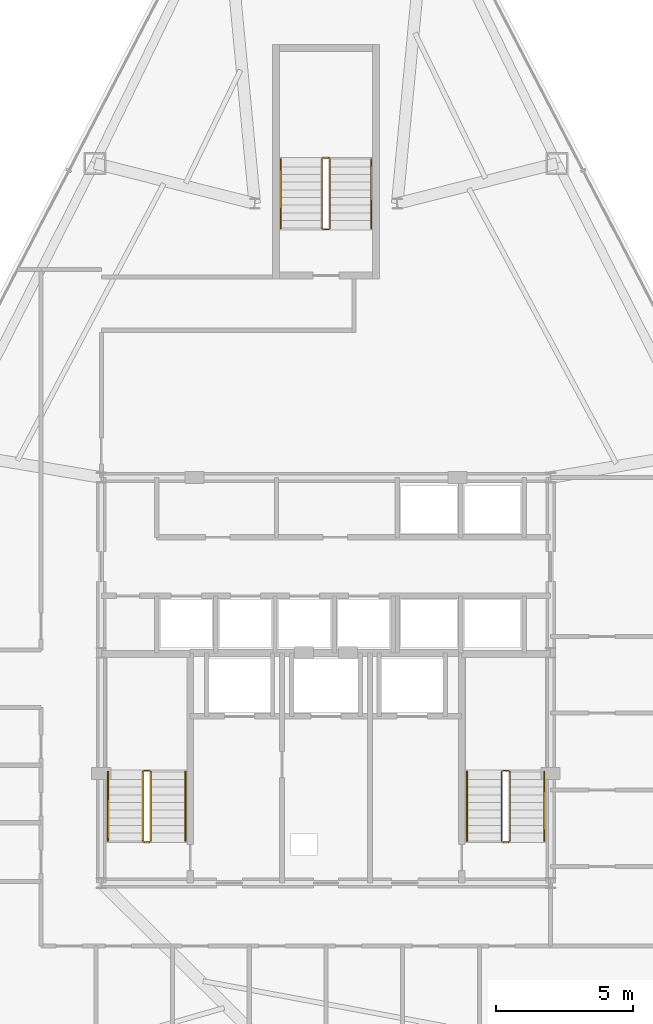
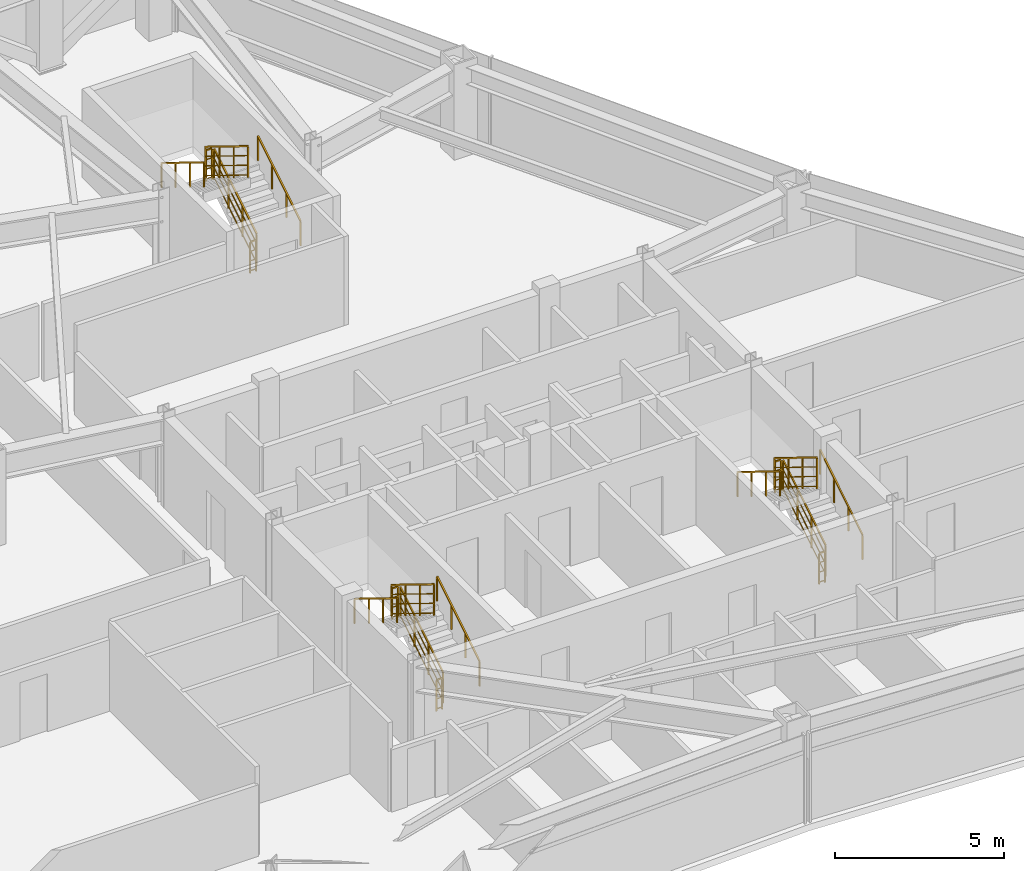
# One storey, part 13 of 13: 18 railings.
"""IFC4 building model written with IfcOpenShell, lengths in metres."""

from ifc_helpers import new_model, si_unit, direction, frame, origin, origin_2d, place, context, subcontext, project, spatial, rectangle, extrude, material, type_object, element, save


model = new_model("IFC4")

# Units and contexts
model_context = context("Model", 3, precision=1e-05, world=origin(), true_north=direction((0.0, 1.0)))
body_context = subcontext(model_context, "Body", "Model", "MODEL_VIEW")
ifc_project = project(units=[si_unit("LENGTHUNIT", "METRE"), si_unit("AREAUNIT", "SQUARE_METRE"), si_unit("VOLUMEUNIT", "CUBIC_METRE"), si_unit("PLANEANGLEUNIT", "RADIAN"), si_unit("MASSUNIT", "GRAM", prefix="KILO")], contexts=[model_context])

# Site, building, storey
site_placement = place(None, origin())
site = spatial("IfcSite", under=ifc_project, at=site_placement, CompositionType="ELEMENT")
building_placement = place(site_placement, origin())
building = spatial("IfcBuilding", under=site, at=building_placement, Name="Varakhsha Concourse Tower", CompositionType="ELEMENT")
storey_placement = place(building_placement, frame((0.0, 0.0, 186.14990234375)))
storey = spatial("IfcBuildingStorey", under=building, at=storey_placement, Name="L53", CompositionType="ELEMENT", Elevation=186.14990234375)

# Railings
ifc_material = material(Name="Brushed Austenitic Stainless Steel AISI 316", Category="steel")
railing_type_1 = type_object("IfcRailingType", Name="RL-STAIR-GUARD-1100", PredefinedType="GUARDRAIL", material=ifc_material)
railing_1_placement = place(storey_placement, frame((33.610107421875, 17.93994140625, 0.172607421875)))
element("IfcRailing", 1, at=railing_1_placement, inside=storey, type_object=railing_type_1, Name="L53 ST1 stair guard 1", PredefinedType="GUARDRAIL", context=body_context, shape_type="SweptSolid", body=[
    extrude(rectangle(XDim=0.048095703125, YDim=0.048095703125, at=origin_2d()), frame((0.0, 0.0, 1.1259765625), z_axis=(0.0, 0.851400495292, 0.524516154772), x_axis=(-1.0, 0.0, 0.0)), (0.0, 0.0, 1.0), 2.9599609375),
    extrude(rectangle(XDim=0.028076171875, YDim=0.028076171875, at=origin_2d()), frame((0.0, 0.0, 0.080078125), z_axis=(0.0, 0.851400495292, 0.524516154772), x_axis=(-1.0, 0.0, 0.0)), (0.0, 0.0, 1.0), 2.9599609375),
    extrude(rectangle(XDim=0.028076171875, YDim=0.028076171875, at=origin_2d()), frame((0.0, 0.0, 0.43701171875), z_axis=(0.0, 0.851400495292, 0.524516154772), x_axis=(-1.0, 0.0, 0.0)), (0.0, 0.0, 1.0), 2.9599609375),
    extrude(rectangle(XDim=0.028076171875, YDim=0.028076171875, at=origin_2d()), frame((0.0, 0.0, 0.781982421875), z_axis=(0.0, 0.851400495292, 0.524516154772), x_axis=(-1.0, 0.0, 0.0)), (0.0, 0.0, 1.0), 2.9599609375),
    extrude(rectangle(XDim=0.0419921875, YDim=0.0419921875, at=origin_2d()), origin(), (0.0, 0.0, 1.0), 1.101806640625),
    extrude(rectangle(XDim=0.0419921875, YDim=0.0419921875, at=origin_2d()), frame((0.0, 0.840087890625, 0.517578125)), (0.0, 0.0, 1.0), 1.101806640625),
    extrude(rectangle(XDim=0.0419921875, YDim=0.0419921875, at=origin_2d()), frame((0.0, 1.679931640625, 1.034912109375)), (0.0, 0.0, 1.0), 1.101806640625),
    extrude(rectangle(XDim=0.0419921875, YDim=0.0419921875, at=origin_2d()), frame((0.0, 2.52001953125, 1.552490234375)), (0.0, 0.0, 1.0), 1.101806640625),
])
railing_2_placement = place(storey_placement, frame((33.56005859375, 20.510009765625, 1.72509765625)))
element("IfcRailing", 2, at=railing_2_placement, inside=storey, type_object=railing_type_1, Name="L53 ST1 stair guard 2", PredefinedType="GUARDRAIL", context=body_context, shape_type="SweptSolid", body=[
    extrude(rectangle(XDim=0.048095703125, YDim=0.048095703125, at=origin_2d()), frame((0.0, 0.0, 1.1259765625), z_axis=(-1.0, 0.0, 0.0), x_axis=(0.0, -1.0, 0.0)), (0.0, 0.0, 1.0), 0.199951171875),
    extrude(rectangle(XDim=0.028076171875, YDim=0.028076171875, at=origin_2d()), frame((0.0, 0.0, 0.080078125), z_axis=(-1.0, 0.0, 0.0), x_axis=(0.0, -1.0, 0.0)), (0.0, 0.0, 1.0), 0.199951171875),
    extrude(rectangle(XDim=0.028076171875, YDim=0.028076171875, at=origin_2d()), frame((0.0, 0.0, 0.43701171875), z_axis=(-1.0, 0.0, 0.0), x_axis=(0.0, -1.0, 0.0)), (0.0, 0.0, 1.0), 0.199951171875),
    extrude(rectangle(XDim=0.028076171875, YDim=0.028076171875, at=origin_2d()), frame((0.0, 0.0, 0.781982421875), z_axis=(-1.0, 0.0, 0.0), x_axis=(0.0, -1.0, 0.0)), (0.0, 0.0, 1.0), 0.199951171875),
    extrude(rectangle(XDim=0.0419921875, YDim=0.0419921875, at=origin_2d()), origin(), (0.0, 0.0, 1.0), 1.101806640625),
    extrude(rectangle(XDim=0.0419921875, YDim=0.0419921875, at=origin_2d()), frame((-0.199951171875, 0.0, 0.0)), (0.0, 0.0, 1.0), 1.101806640625),
])
railing_3_placement = place(storey_placement, frame((33.31005859375, 20.4599609375, 1.897705078125)))
element("IfcRailing", 3, at=railing_3_placement, inside=storey, type_object=railing_type_1, Name="L53 ST1 stair guard 3", PredefinedType="GUARDRAIL", context=body_context, shape_type="SweptSolid", body=[
    extrude(rectangle(XDim=0.048095703125, YDim=0.048095703125, at=origin_2d()), frame((0.0, 0.0, 1.1259765625), z_axis=(0.0, -0.851400495292, 0.524516154772), x_axis=(1.0, 0.0, 0.0)), (0.0, 0.0, 1.0), 2.9599609375),
    extrude(rectangle(XDim=0.028076171875, YDim=0.028076171875, at=origin_2d()), frame((0.0, 0.0, 0.080078125), z_axis=(0.0, -0.851400495292, 0.524516154772), x_axis=(1.0, 0.0, 0.0)), (0.0, 0.0, 1.0), 2.9599609375),
    extrude(rectangle(XDim=0.028076171875, YDim=0.028076171875, at=origin_2d()), frame((0.0, 0.0, 0.43701171875), z_axis=(0.0, -0.851400495292, 0.524516154772), x_axis=(1.0, 0.0, 0.0)), (0.0, 0.0, 1.0), 2.9599609375),
    extrude(rectangle(XDim=0.028076171875, YDim=0.028076171875, at=origin_2d()), frame((0.0, 0.0, 0.781982421875), z_axis=(0.0, -0.851400495292, 0.524516154772), x_axis=(1.0, 0.0, 0.0)), (0.0, 0.0, 1.0), 2.9599609375),
    extrude(rectangle(XDim=0.0419921875, YDim=0.0419921875, at=origin_2d()), origin(), (0.0, 0.0, 1.0), 1.101806640625),
    extrude(rectangle(XDim=0.0419921875, YDim=0.0419921875, at=origin_2d()), frame((0.0, -0.840087890625, 0.517578125)), (0.0, 0.0, 1.0), 1.101806640625),
    extrude(rectangle(XDim=0.0419921875, YDim=0.0419921875, at=origin_2d()), frame((0.0, -1.679931640625, 1.034912109375)), (0.0, 0.0, 1.0), 1.101806640625),
    extrude(rectangle(XDim=0.0419921875, YDim=0.0419921875, at=origin_2d()), frame((0.0, -2.52001953125, 1.552490234375)), (0.0, 0.0, 1.0), 1.101806640625),
])
railing_4_placement = place(storey_placement, frame((33.56005859375, 17.889892578125, 0.0)))
element("IfcRailing", 4, at=railing_4_placement, inside=storey, type_object=railing_type_1, Name="L53 ST1 stair guard 4", PredefinedType="GUARDRAIL", context=body_context, shape_type="SweptSolid", body=[
    extrude(rectangle(XDim=0.048095703125, YDim=0.048095703125, at=origin_2d()), frame((0.0, 0.0, 1.1259765625), z_axis=(-1.0, 0.0, 0.0), x_axis=(0.0, -1.0, 0.0)), (0.0, 0.0, 1.0), 0.199951171875),
    extrude(rectangle(XDim=0.028076171875, YDim=0.028076171875, at=origin_2d()), frame((0.0, 0.0, 0.080078125), z_axis=(-1.0, 0.0, 0.0), x_axis=(0.0, -1.0, 0.0)), (0.0, 0.0, 1.0), 0.199951171875),
    extrude(rectangle(XDim=0.028076171875, YDim=0.028076171875, at=origin_2d()), frame((0.0, 0.0, 0.43701171875), z_axis=(-1.0, 0.0, 0.0), x_axis=(0.0, -1.0, 0.0)), (0.0, 0.0, 1.0), 0.199951171875),
    extrude(rectangle(XDim=0.028076171875, YDim=0.028076171875, at=origin_2d()), frame((0.0, 0.0, 0.781982421875), z_axis=(-1.0, 0.0, 0.0), x_axis=(0.0, -1.0, 0.0)), (0.0, 0.0, 1.0), 0.199951171875),
    extrude(rectangle(XDim=0.0419921875, YDim=0.0419921875, at=origin_2d()), origin(), (0.0, 0.0, 1.0), 1.101806640625),
    extrude(rectangle(XDim=0.0419921875, YDim=0.0419921875, at=origin_2d()), frame((-0.199951171875, 0.0, 0.0)), (0.0, 0.0, 1.0), 1.101806640625),
])
railing_5_placement = place(storey_placement, frame((46.7099609375, 17.93994140625, 0.172607421875)))
element("IfcRailing", 5, at=railing_5_placement, inside=storey, type_object=railing_type_1, Name="L53 ST2 stair guard 1", PredefinedType="GUARDRAIL", context=body_context, shape_type="SweptSolid", body=[
    extrude(rectangle(XDim=0.048095703125, YDim=0.048095703125, at=origin_2d()), frame((0.0, 0.0, 1.1259765625), z_axis=(0.0, 0.851400495292, 0.524516154772), x_axis=(-1.0, 0.0, 0.0)), (0.0, 0.0, 1.0), 2.9599609375),
    extrude(rectangle(XDim=0.028076171875, YDim=0.028076171875, at=origin_2d()), frame((0.0, 0.0, 0.080078125), z_axis=(0.0, 0.851400495292, 0.524516154772), x_axis=(-1.0, 0.0, 0.0)), (0.0, 0.0, 1.0), 2.9599609375),
    extrude(rectangle(XDim=0.028076171875, YDim=0.028076171875, at=origin_2d()), frame((0.0, 0.0, 0.43701171875), z_axis=(0.0, 0.851400495292, 0.524516154772), x_axis=(-1.0, 0.0, 0.0)), (0.0, 0.0, 1.0), 2.9599609375),
    extrude(rectangle(XDim=0.028076171875, YDim=0.028076171875, at=origin_2d()), frame((0.0, 0.0, 0.781982421875), z_axis=(0.0, 0.851400495292, 0.524516154772), x_axis=(-1.0, 0.0, 0.0)), (0.0, 0.0, 1.0), 2.9599609375),
    extrude(rectangle(XDim=0.0419921875, YDim=0.0419921875, at=origin_2d()), origin(), (0.0, 0.0, 1.0), 1.101806640625),
    extrude(rectangle(XDim=0.0419921875, YDim=0.0419921875, at=origin_2d()), frame((0.0, 0.840087890625, 0.517578125)), (0.0, 0.0, 1.0), 1.101806640625),
    extrude(rectangle(XDim=0.0419921875, YDim=0.0419921875, at=origin_2d()), frame((0.0, 1.679931640625, 1.034912109375)), (0.0, 0.0, 1.0), 1.101806640625),
    extrude(rectangle(XDim=0.0419921875, YDim=0.0419921875, at=origin_2d()), frame((0.0, 2.52001953125, 1.552490234375)), (0.0, 0.0, 1.0), 1.101806640625),
])
railing_6_placement = place(storey_placement, frame((46.659912109375, 20.510009765625, 1.72509765625)))
element("IfcRailing", 6, at=railing_6_placement, inside=storey, type_object=railing_type_1, Name="L53 ST2 stair guard 2", PredefinedType="GUARDRAIL", context=body_context, shape_type="SweptSolid", body=[
    extrude(rectangle(XDim=0.048095703125, YDim=0.048095703125, at=origin_2d()), frame((0.0, 0.0, 1.1259765625), z_axis=(-1.0, 0.0, 0.0), x_axis=(0.0, -1.0, 0.0)), (0.0, 0.0, 1.0), 0.199951171875),
    extrude(rectangle(XDim=0.028076171875, YDim=0.028076171875, at=origin_2d()), frame((0.0, 0.0, 0.080078125), z_axis=(-1.0, 0.0, 0.0), x_axis=(0.0, -1.0, 0.0)), (0.0, 0.0, 1.0), 0.199951171875),
    extrude(rectangle(XDim=0.028076171875, YDim=0.028076171875, at=origin_2d()), frame((0.0, 0.0, 0.43701171875), z_axis=(-1.0, 0.0, 0.0), x_axis=(0.0, -1.0, 0.0)), (0.0, 0.0, 1.0), 0.199951171875),
    extrude(rectangle(XDim=0.028076171875, YDim=0.028076171875, at=origin_2d()), frame((0.0, 0.0, 0.781982421875), z_axis=(-1.0, 0.0, 0.0), x_axis=(0.0, -1.0, 0.0)), (0.0, 0.0, 1.0), 0.199951171875),
    extrude(rectangle(XDim=0.0419921875, YDim=0.0419921875, at=origin_2d()), origin(), (0.0, 0.0, 1.0), 1.101806640625),
    extrude(rectangle(XDim=0.0419921875, YDim=0.0419921875, at=origin_2d()), frame((-0.199951171875, 0.0, 0.0)), (0.0, 0.0, 1.0), 1.101806640625),
])
railing_7_placement = place(storey_placement, frame((46.409912109375, 20.4599609375, 1.897705078125)))
element("IfcRailing", 7, at=railing_7_placement, inside=storey, type_object=railing_type_1, Name="L53 ST2 stair guard 3", PredefinedType="GUARDRAIL", context=body_context, shape_type="SweptSolid", body=[
    extrude(rectangle(XDim=0.048095703125, YDim=0.048095703125, at=origin_2d()), frame((0.0, 0.0, 1.1259765625), z_axis=(0.0, -0.851400495292, 0.524516154772), x_axis=(1.0, 0.0, 0.0)), (0.0, 0.0, 1.0), 2.9599609375),
    extrude(rectangle(XDim=0.028076171875, YDim=0.028076171875, at=origin_2d()), frame((0.0, 0.0, 0.080078125), z_axis=(0.0, -0.851400495292, 0.524516154772), x_axis=(1.0, 0.0, 0.0)), (0.0, 0.0, 1.0), 2.9599609375),
    extrude(rectangle(XDim=0.028076171875, YDim=0.028076171875, at=origin_2d()), frame((0.0, 0.0, 0.43701171875), z_axis=(0.0, -0.851400495292, 0.524516154772), x_axis=(1.0, 0.0, 0.0)), (0.0, 0.0, 1.0), 2.9599609375),
    extrude(rectangle(XDim=0.028076171875, YDim=0.028076171875, at=origin_2d()), frame((0.0, 0.0, 0.781982421875), z_axis=(0.0, -0.851400495292, 0.524516154772), x_axis=(1.0, 0.0, 0.0)), (0.0, 0.0, 1.0), 2.9599609375),
    extrude(rectangle(XDim=0.0419921875, YDim=0.0419921875, at=origin_2d()), origin(), (0.0, 0.0, 1.0), 1.101806640625),
    extrude(rectangle(XDim=0.0419921875, YDim=0.0419921875, at=origin_2d()), frame((0.0, -0.840087890625, 0.517578125)), (0.0, 0.0, 1.0), 1.101806640625),
    extrude(rectangle(XDim=0.0419921875, YDim=0.0419921875, at=origin_2d()), frame((0.0, -1.679931640625, 1.034912109375)), (0.0, 0.0, 1.0), 1.101806640625),
    extrude(rectangle(XDim=0.0419921875, YDim=0.0419921875, at=origin_2d()), frame((0.0, -2.52001953125, 1.552490234375)), (0.0, 0.0, 1.0), 1.101806640625),
])
railing_8_placement = place(storey_placement, frame((46.659912109375, 17.889892578125, 0.0)))
element("IfcRailing", 8, at=railing_8_placement, inside=storey, type_object=railing_type_1, Name="L53 ST2 stair guard 4", PredefinedType="GUARDRAIL", context=body_context, shape_type="SweptSolid", body=[
    extrude(rectangle(XDim=0.048095703125, YDim=0.048095703125, at=origin_2d()), frame((0.0, 0.0, 1.1259765625), z_axis=(-1.0, 0.0, 0.0), x_axis=(0.0, -1.0, 0.0)), (0.0, 0.0, 1.0), 0.199951171875),
    extrude(rectangle(XDim=0.028076171875, YDim=0.028076171875, at=origin_2d()), frame((0.0, 0.0, 0.080078125), z_axis=(-1.0, 0.0, 0.0), x_axis=(0.0, -1.0, 0.0)), (0.0, 0.0, 1.0), 0.199951171875),
    extrude(rectangle(XDim=0.028076171875, YDim=0.028076171875, at=origin_2d()), frame((0.0, 0.0, 0.43701171875), z_axis=(-1.0, 0.0, 0.0), x_axis=(0.0, -1.0, 0.0)), (0.0, 0.0, 1.0), 0.199951171875),
    extrude(rectangle(XDim=0.028076171875, YDim=0.028076171875, at=origin_2d()), frame((0.0, 0.0, 0.781982421875), z_axis=(-1.0, 0.0, 0.0), x_axis=(0.0, -1.0, 0.0)), (0.0, 0.0, 1.0), 0.199951171875),
    extrude(rectangle(XDim=0.0419921875, YDim=0.0419921875, at=origin_2d()), origin(), (0.0, 0.0, 1.0), 1.101806640625),
    extrude(rectangle(XDim=0.0419921875, YDim=0.0419921875, at=origin_2d()), frame((-0.199951171875, 0.0, 0.0)), (0.0, 0.0, 1.0), 1.101806640625),
])
railing_9_placement = place(storey_placement, frame((40.14990234375, 40.300048828125, 0.172607421875)))
element("IfcRailing", 9, at=railing_9_placement, inside=storey, type_object=railing_type_1, Name="L53 ST5 stair guard 1", PredefinedType="GUARDRAIL", context=body_context, shape_type="SweptSolid", body=[
    extrude(rectangle(XDim=0.048095703125, YDim=0.048095703125, at=origin_2d()), frame((0.0, 0.0, 1.1259765625), z_axis=(0.0, 0.851400495292, 0.524516154772), x_axis=(-1.0, 0.0, 0.0)), (0.0, 0.0, 1.0), 2.9599609375),
    extrude(rectangle(XDim=0.028076171875, YDim=0.028076171875, at=origin_2d()), frame((0.0, 0.0, 0.080078125), z_axis=(0.0, 0.851400495292, 0.524516154772), x_axis=(-1.0, 0.0, 0.0)), (0.0, 0.0, 1.0), 2.9599609375),
    extrude(rectangle(XDim=0.028076171875, YDim=0.028076171875, at=origin_2d()), frame((0.0, 0.0, 0.43701171875), z_axis=(0.0, 0.851400495292, 0.524516154772), x_axis=(-1.0, 0.0, 0.0)), (0.0, 0.0, 1.0), 2.9599609375),
    extrude(rectangle(XDim=0.028076171875, YDim=0.028076171875, at=origin_2d()), frame((0.0, 0.0, 0.781982421875), z_axis=(0.0, 0.851400495292, 0.524516154772), x_axis=(-1.0, 0.0, 0.0)), (0.0, 0.0, 1.0), 2.9599609375),
    extrude(rectangle(XDim=0.0419921875, YDim=0.0419921875, at=origin_2d()), origin(), (0.0, 0.0, 1.0), 1.101806640625),
    extrude(rectangle(XDim=0.0419921875, YDim=0.0419921875, at=origin_2d()), frame((0.0, 0.840087890625, 0.517578125)), (0.0, 0.0, 1.0), 1.101806640625),
    extrude(rectangle(XDim=0.0419921875, YDim=0.0419921875, at=origin_2d()), frame((0.0, 1.679931640625, 1.034912109375)), (0.0, 0.0, 1.0), 1.101806640625),
    extrude(rectangle(XDim=0.0419921875, YDim=0.0419921875, at=origin_2d()), frame((0.0, 2.52001953125, 1.552490234375)), (0.0, 0.0, 1.0), 1.101806640625),
])
railing_10_placement = place(storey_placement, frame((40.10009765625, 42.8701171875, 1.72509765625)))
element("IfcRailing", 10, at=railing_10_placement, inside=storey, type_object=railing_type_1, Name="L53 ST5 stair guard 2", PredefinedType="GUARDRAIL", context=body_context, shape_type="SweptSolid", body=[
    extrude(rectangle(XDim=0.048095703125, YDim=0.048095703125, at=origin_2d()), frame((0.0, 0.0, 1.1259765625), z_axis=(-1.0, 0.0, 0.0), x_axis=(0.0, -1.0, 0.0)), (0.0, 0.0, 1.0), 0.2001953125),
    extrude(rectangle(XDim=0.028076171875, YDim=0.028076171875, at=origin_2d()), frame((0.0, 0.0, 0.080078125), z_axis=(-1.0, 0.0, 0.0), x_axis=(0.0, -1.0, 0.0)), (0.0, 0.0, 1.0), 0.2001953125),
    extrude(rectangle(XDim=0.028076171875, YDim=0.028076171875, at=origin_2d()), frame((0.0, 0.0, 0.43701171875), z_axis=(-1.0, 0.0, 0.0), x_axis=(0.0, -1.0, 0.0)), (0.0, 0.0, 1.0), 0.2001953125),
    extrude(rectangle(XDim=0.028076171875, YDim=0.028076171875, at=origin_2d()), frame((0.0, 0.0, 0.781982421875), z_axis=(-1.0, 0.0, 0.0), x_axis=(0.0, -1.0, 0.0)), (0.0, 0.0, 1.0), 0.2001953125),
    extrude(rectangle(XDim=0.0419921875, YDim=0.0419921875, at=origin_2d()), origin(), (0.0, 0.0, 1.0), 1.101806640625),
    extrude(rectangle(XDim=0.0419921875, YDim=0.0419921875, at=origin_2d()), frame((-0.2001953125, 0.0, 0.0)), (0.0, 0.0, 1.0), 1.101806640625),
])
railing_11_placement = place(storey_placement, frame((39.85009765625, 42.820068359375, 1.897705078125)))
element("IfcRailing", 11, at=railing_11_placement, inside=storey, type_object=railing_type_1, Name="L53 ST5 stair guard 3", PredefinedType="GUARDRAIL", context=body_context, shape_type="SweptSolid", body=[
    extrude(rectangle(XDim=0.048095703125, YDim=0.048095703125, at=origin_2d()), frame((0.0, 0.0, 1.1259765625), z_axis=(0.0, -0.851400495292, 0.524516154772), x_axis=(1.0, 0.0, 0.0)), (0.0, 0.0, 1.0), 2.9599609375),
    extrude(rectangle(XDim=0.028076171875, YDim=0.028076171875, at=origin_2d()), frame((0.0, 0.0, 0.080078125), z_axis=(0.0, -0.851400495292, 0.524516154772), x_axis=(1.0, 0.0, 0.0)), (0.0, 0.0, 1.0), 2.9599609375),
    extrude(rectangle(XDim=0.028076171875, YDim=0.028076171875, at=origin_2d()), frame((0.0, 0.0, 0.43701171875), z_axis=(0.0, -0.851400495292, 0.524516154772), x_axis=(1.0, 0.0, 0.0)), (0.0, 0.0, 1.0), 2.9599609375),
    extrude(rectangle(XDim=0.028076171875, YDim=0.028076171875, at=origin_2d()), frame((0.0, 0.0, 0.781982421875), z_axis=(0.0, -0.851400495292, 0.524516154772), x_axis=(1.0, 0.0, 0.0)), (0.0, 0.0, 1.0), 2.9599609375),
    extrude(rectangle(XDim=0.0419921875, YDim=0.0419921875, at=origin_2d()), origin(), (0.0, 0.0, 1.0), 1.101806640625),
    extrude(rectangle(XDim=0.0419921875, YDim=0.0419921875, at=origin_2d()), frame((0.0, -0.840087890625, 0.517578125)), (0.0, 0.0, 1.0), 1.101806640625),
    extrude(rectangle(XDim=0.0419921875, YDim=0.0419921875, at=origin_2d()), frame((0.0, -1.679931640625, 1.034912109375)), (0.0, 0.0, 1.0), 1.101806640625),
    extrude(rectangle(XDim=0.0419921875, YDim=0.0419921875, at=origin_2d()), frame((0.0, -2.52001953125, 1.552490234375)), (0.0, 0.0, 1.0), 1.101806640625),
])
railing_12_placement = place(storey_placement, frame((40.10009765625, 40.25, 0.0)))
element("IfcRailing", 12, at=railing_12_placement, inside=storey, type_object=railing_type_1, Name="L53 ST5 stair guard 4", PredefinedType="GUARDRAIL", context=body_context, shape_type="SweptSolid", body=[
    extrude(rectangle(XDim=0.048095703125, YDim=0.048095703125, at=origin_2d()), frame((0.0, 0.0, 1.1259765625), z_axis=(-1.0, 0.0, 0.0), x_axis=(0.0, -1.0, 0.0)), (0.0, 0.0, 1.0), 0.2001953125),
    extrude(rectangle(XDim=0.028076171875, YDim=0.028076171875, at=origin_2d()), frame((0.0, 0.0, 0.080078125), z_axis=(-1.0, 0.0, 0.0), x_axis=(0.0, -1.0, 0.0)), (0.0, 0.0, 1.0), 0.2001953125),
    extrude(rectangle(XDim=0.028076171875, YDim=0.028076171875, at=origin_2d()), frame((0.0, 0.0, 0.43701171875), z_axis=(-1.0, 0.0, 0.0), x_axis=(0.0, -1.0, 0.0)), (0.0, 0.0, 1.0), 0.2001953125),
    extrude(rectangle(XDim=0.028076171875, YDim=0.028076171875, at=origin_2d()), frame((0.0, 0.0, 0.781982421875), z_axis=(-1.0, 0.0, 0.0), x_axis=(0.0, -1.0, 0.0)), (0.0, 0.0, 1.0), 0.2001953125),
    extrude(rectangle(XDim=0.0419921875, YDim=0.0419921875, at=origin_2d()), origin(), (0.0, 0.0, 1.0), 1.101806640625),
    extrude(rectangle(XDim=0.0419921875, YDim=0.0419921875, at=origin_2d()), frame((-0.2001953125, 0.0, 0.0)), (0.0, 0.0, 1.0), 1.101806640625),
])
railing_type_2 = type_object("IfcRailingType", Name="RL-STAIR-RAIL-915", PredefinedType="HANDRAIL", material=ifc_material)
railing_13_placement = place(storey_placement, frame((34.8701171875, 17.93994140625, 0.34521484375)))
element("IfcRailing", 13, at=railing_13_placement, inside=storey, type_object=railing_type_2, Name="L53 ST1 stair handrail 1", PredefinedType="HANDRAIL", context=body_context, shape_type="SweptSolid", body=[
    extrude(rectangle(XDim=0.048095703125, YDim=0.048095703125, at=origin_2d()), frame((0.0, 0.0, 0.89111328125), z_axis=(0.0, 0.851400495292, 0.524516154772), x_axis=(-1.0, 0.0, 0.0)), (0.0, 0.0, 1.0), 2.9599609375),
    extrude(rectangle(XDim=0.0419921875, YDim=0.0419921875, at=origin_2d()), origin(), (0.0, 0.0, 1.0), 0.866943359375),
    extrude(rectangle(XDim=0.0419921875, YDim=0.0419921875, at=origin_2d()), frame((0.0, 0.840087890625, 0.517578125)), (0.0, 0.0, 1.0), 0.866943359375),
    extrude(rectangle(XDim=0.0419921875, YDim=0.0419921875, at=origin_2d()), frame((0.0, 1.679931640625, 1.034912109375)), (0.0, 0.0, 1.0), 0.866943359375),
    extrude(rectangle(XDim=0.0419921875, YDim=0.0419921875, at=origin_2d()), frame((0.0, 2.52001953125, 1.552490234375)), (0.0, 0.0, 1.0), 0.866943359375),
])
railing_14_placement = place(storey_placement, frame((32.050048828125, 20.4599609375, 2.070068359375)))
element("IfcRailing", 14, at=railing_14_placement, inside=storey, type_object=railing_type_2, Name="L53 ST1 stair handrail 2", PredefinedType="HANDRAIL", context=body_context, shape_type="SweptSolid", body=[
    extrude(rectangle(XDim=0.048095703125, YDim=0.048095703125, at=origin_2d()), frame((0.0, 0.0, 0.89111328125), z_axis=(0.0, -0.851400495292, 0.524516154772), x_axis=(1.0, 0.0, 0.0)), (0.0, 0.0, 1.0), 2.9599609375),
    extrude(rectangle(XDim=0.0419921875, YDim=0.0419921875, at=origin_2d()), origin(), (0.0, 0.0, 1.0), 0.866943359375),
    extrude(rectangle(XDim=0.0419921875, YDim=0.0419921875, at=origin_2d()), frame((0.0, -0.840087890625, 0.517578125)), (0.0, 0.0, 1.0), 0.866943359375),
    extrude(rectangle(XDim=0.0419921875, YDim=0.0419921875, at=origin_2d()), frame((0.0, -1.679931640625, 1.034912109375)), (0.0, 0.0, 1.0), 0.866943359375),
    extrude(rectangle(XDim=0.0419921875, YDim=0.0419921875, at=origin_2d()), frame((0.0, -2.52001953125, 1.552490234375)), (0.0, 0.0, 1.0), 0.866943359375),
])
railing_15_placement = place(storey_placement, frame((47.969970703125, 17.93994140625, 0.34521484375)))
element("IfcRailing", 15, at=railing_15_placement, inside=storey, type_object=railing_type_2, Name="L53 ST2 stair handrail 1", PredefinedType="HANDRAIL", context=body_context, shape_type="SweptSolid", body=[
    extrude(rectangle(XDim=0.048095703125, YDim=0.048095703125, at=origin_2d()), frame((0.0, 0.0, 0.89111328125), z_axis=(0.0, 0.851400495292, 0.524516154772), x_axis=(-1.0, 0.0, 0.0)), (0.0, 0.0, 1.0), 2.9599609375),
    extrude(rectangle(XDim=0.0419921875, YDim=0.0419921875, at=origin_2d()), origin(), (0.0, 0.0, 1.0), 0.866943359375),
    extrude(rectangle(XDim=0.0419921875, YDim=0.0419921875, at=origin_2d()), frame((0.0, 0.840087890625, 0.517578125)), (0.0, 0.0, 1.0), 0.866943359375),
    extrude(rectangle(XDim=0.0419921875, YDim=0.0419921875, at=origin_2d()), frame((0.0, 1.679931640625, 1.034912109375)), (0.0, 0.0, 1.0), 0.866943359375),
    extrude(rectangle(XDim=0.0419921875, YDim=0.0419921875, at=origin_2d()), frame((0.0, 2.52001953125, 1.552490234375)), (0.0, 0.0, 1.0), 0.866943359375),
])
railing_16_placement = place(storey_placement, frame((45.14990234375, 20.4599609375, 2.070068359375)))
element("IfcRailing", 16, at=railing_16_placement, inside=storey, type_object=railing_type_2, Name="L53 ST2 stair handrail 2", PredefinedType="HANDRAIL", context=body_context, shape_type="SweptSolid", body=[
    extrude(rectangle(XDim=0.048095703125, YDim=0.048095703125, at=origin_2d()), frame((0.0, 0.0, 0.89111328125), z_axis=(0.0, -0.851400495292, 0.524516154772), x_axis=(1.0, 0.0, 0.0)), (0.0, 0.0, 1.0), 2.9599609375),
    extrude(rectangle(XDim=0.0419921875, YDim=0.0419921875, at=origin_2d()), origin(), (0.0, 0.0, 1.0), 0.866943359375),
    extrude(rectangle(XDim=0.0419921875, YDim=0.0419921875, at=origin_2d()), frame((0.0, -0.840087890625, 0.517578125)), (0.0, 0.0, 1.0), 0.866943359375),
    extrude(rectangle(XDim=0.0419921875, YDim=0.0419921875, at=origin_2d()), frame((0.0, -1.679931640625, 1.034912109375)), (0.0, 0.0, 1.0), 0.866943359375),
    extrude(rectangle(XDim=0.0419921875, YDim=0.0419921875, at=origin_2d()), frame((0.0, -2.52001953125, 1.552490234375)), (0.0, 0.0, 1.0), 0.866943359375),
])
railing_17_placement = place(storey_placement, frame((41.64990234375, 40.300048828125, 0.34521484375)))
element("IfcRailing", 17, at=railing_17_placement, inside=storey, type_object=railing_type_2, Name="L53 ST5 stair handrail 1", PredefinedType="HANDRAIL", context=body_context, shape_type="SweptSolid", body=[
    extrude(rectangle(XDim=0.048095703125, YDim=0.048095703125, at=origin_2d()), frame((0.0, 0.0, 0.89111328125), z_axis=(0.0, 0.851400495292, 0.524516154772), x_axis=(-1.0, 0.0, 0.0)), (0.0, 0.0, 1.0), 2.9599609375),
    extrude(rectangle(XDim=0.0419921875, YDim=0.0419921875, at=origin_2d()), origin(), (0.0, 0.0, 1.0), 0.866943359375),
    extrude(rectangle(XDim=0.0419921875, YDim=0.0419921875, at=origin_2d()), frame((0.0, 0.840087890625, 0.517578125)), (0.0, 0.0, 1.0), 0.866943359375),
    extrude(rectangle(XDim=0.0419921875, YDim=0.0419921875, at=origin_2d()), frame((0.0, 1.679931640625, 1.034912109375)), (0.0, 0.0, 1.0), 0.866943359375),
    extrude(rectangle(XDim=0.0419921875, YDim=0.0419921875, at=origin_2d()), frame((0.0, 2.52001953125, 1.552490234375)), (0.0, 0.0, 1.0), 0.866943359375),
])
railing_18_placement = place(storey_placement, frame((38.35009765625, 42.820068359375, 2.070068359375)))
element("IfcRailing", 18, at=railing_18_placement, inside=storey, type_object=railing_type_2, Name="L53 ST5 stair handrail 2", PredefinedType="HANDRAIL", context=body_context, shape_type="SweptSolid", body=[
    extrude(rectangle(XDim=0.048095703125, YDim=0.048095703125, at=origin_2d()), frame((0.0, 0.0, 0.89111328125), z_axis=(0.0, -0.851400495292, 0.524516154772), x_axis=(1.0, 0.0, 0.0)), (0.0, 0.0, 1.0), 2.9599609375),
    extrude(rectangle(XDim=0.0419921875, YDim=0.0419921875, at=origin_2d()), origin(), (0.0, 0.0, 1.0), 0.866943359375),
    extrude(rectangle(XDim=0.0419921875, YDim=0.0419921875, at=origin_2d()), frame((0.0, -0.840087890625, 0.517578125)), (0.0, 0.0, 1.0), 0.866943359375),
    extrude(rectangle(XDim=0.0419921875, YDim=0.0419921875, at=origin_2d()), frame((0.0, -1.679931640625, 1.034912109375)), (0.0, 0.0, 1.0), 0.866943359375),
    extrude(rectangle(XDim=0.0419921875, YDim=0.0419921875, at=origin_2d()), frame((0.0, -2.52001953125, 1.552490234375)), (0.0, 0.0, 1.0), 0.866943359375),
])

save(model, "model.ifc")
